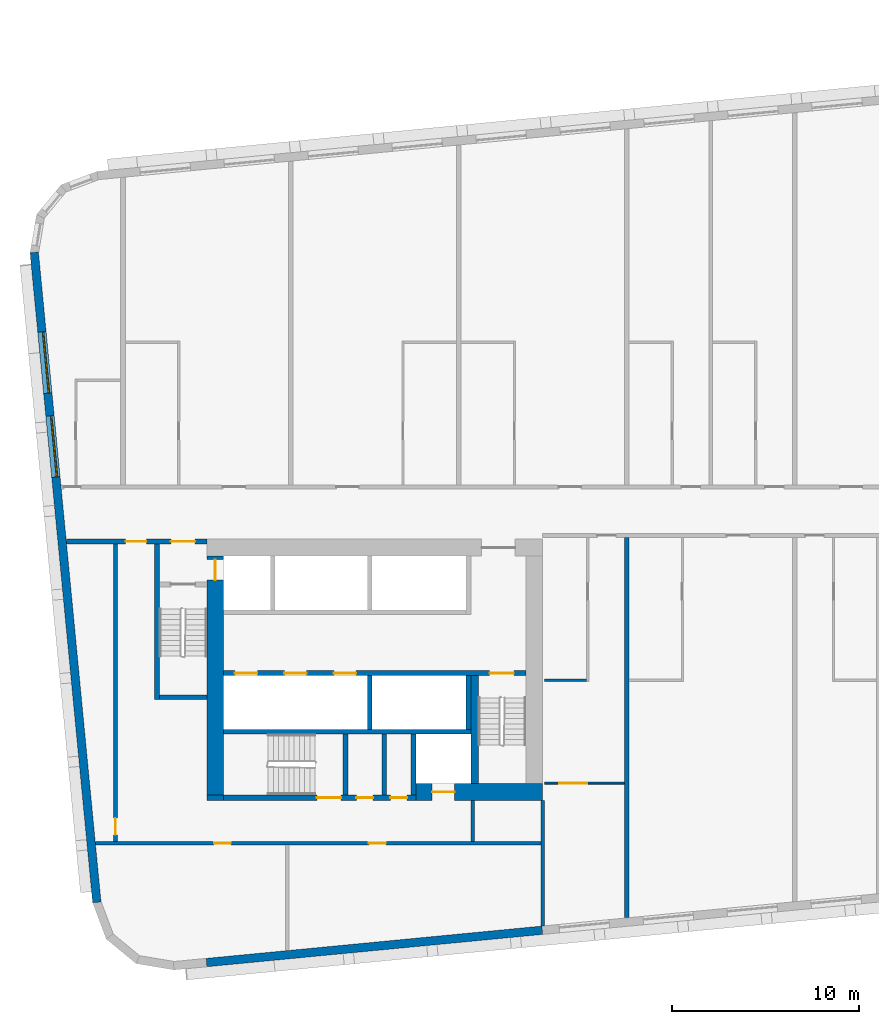
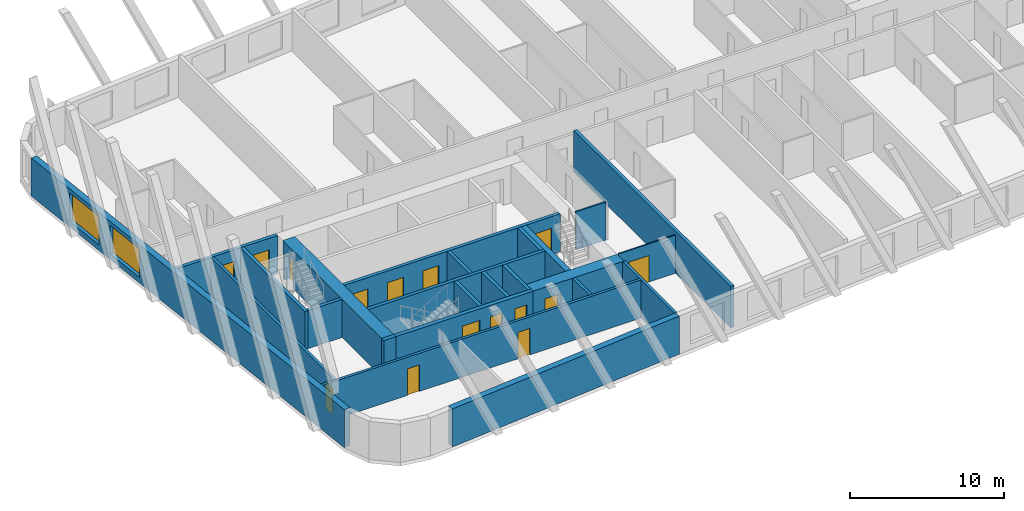
# One storey, part 2 of 13: 24 walls, 15 doors, 2 windows, 17 openings.
"""IFC4 building model written with IfcOpenShell, lengths in metres."""

import ifcopenshell
import ifcopenshell.guid

model = None  # the IFC model being written
_history = None  # IfcOwnerHistory: only IFC2X3 demands one
_inside = {}  # id of a spatial element -> (the spatial element, [elements in it])
_under = {}  # id of a project, library or spatial element -> (it, [spatial elements below it])
_declared = {}  # id of a project -> (the project, [libraries it declares])
_typed = {}  # id of a type object -> (the type object, [elements of that type])
_made_of = {}  # id of a material, layer set ... -> (it, [elements and type objects made of it])


def new_model(schema):
    """Start an empty IFC model of exactly this schema.

    Asked for "IFC4X3", IfcOpenShell would pick the latest addendum, in which some entities
    have other attributes; the version numbers below select the first issue.
    IFC2X3 requires an IfcOwnerHistory on every rooted entity: one is made here for all.
    """
    global model, _history
    if schema == "IFC4X3":
        model = ifcopenshell.file(schema_version=(4, 3, 0, 0))
    else:
        model = ifcopenshell.file(schema=schema)
    _inside.clear()
    _under.clear()
    _declared.clear()
    _typed.clear()
    _made_of.clear()
    _history = None
    if model.schema == "IFC2X3":
        org = make("IfcOrganization", Name="unknown")
        user = make(
            "IfcPersonAndOrganization",
            ThePerson=make("IfcPerson", FamilyName="unknown"),
            TheOrganization=org,
        )
        app = make(
            "IfcApplication",
            ApplicationDeveloper=org,
            Version="unknown",
            ApplicationFullName="unknown",
            ApplicationIdentifier="unknown",
        )
        _history = make(
            "IfcOwnerHistory",
            OwningUser=user,
            OwningApplication=app,
            ChangeAction="ADDED",
            CreationDate=0,
        )
    return model


def make(cls, **values):
    """One entity of the class cls with the attributes given. An attribute that is None is left unset."""
    return model.create_entity(
        cls, **{name: value for name, value in values.items() if value is not None}
    )


def rooted(cls, **values):
    """An entity with a GlobalId (a new one), such as an element, a storey or a relation."""
    return make(cls, GlobalId=ifcopenshell.guid.new(), OwnerHistory=_history, **values)


def si_unit(unit_type, name, prefix=None):
    """IfcSIUnit, for example si_unit("LENGTHUNIT", "METRE", prefix="MILLI")."""
    return make("IfcSIUnit", UnitType=unit_type, Prefix=prefix, Name=name)


def assignment(units):
    """IfcUnitAssignment: the units of a project."""
    return None if units is None else make("IfcUnitAssignment", Units=units)


def point(xyz):
    """IfcCartesianPoint."""
    return None if xyz is None else make("IfcCartesianPoint", Coordinates=xyz)


def direction(xyz):
    """IfcDirection."""
    return None if xyz is None else make("IfcDirection", DirectionRatios=xyz)


def frame(location, z_axis=None, x_axis=None):
    """IfcAxis2Placement3D, a coordinate frame: its origin and axes. An axis left out is left unset."""
    return make(
        "IfcAxis2Placement3D",
        Location=point(location),
        Axis=direction(z_axis),
        RefDirection=direction(x_axis),
    )


def frame_2d(location, x_axis=None):
    """IfcAxis2Placement2D, a coordinate frame in the plane: its origin and x axis."""
    return make(
        "IfcAxis2Placement2D", Location=point(location), RefDirection=direction(x_axis)
    )


def origin():
    """The frame at (0, 0, 0) with its axes left unset."""
    return frame((0.0, 0.0, 0.0))


def place(relative_to, where):
    """IfcLocalPlacement: puts the frame where relative to a parent placement (None: the world)."""
    return make(
        "IfcLocalPlacement", PlacementRelTo=relative_to, RelativePlacement=where
    )


def context(
    kind, dimensions, precision=None, world=None, true_north=None, identifier=None
):
    """IfcGeometricRepresentationContext, for example the 3D "Model" context."""
    return make(
        "IfcGeometricRepresentationContext",
        ContextIdentifier=identifier,
        ContextType=kind,
        CoordinateSpaceDimension=dimensions,
        Precision=precision,
        WorldCoordinateSystem=world,
        TrueNorth=true_north,
    )


def subcontext(parent, identifier, kind, view, scale=None):
    """IfcGeometricRepresentationSubContext, for example "Body" below "Model"."""
    return make(
        "IfcGeometricRepresentationSubContext",
        ContextIdentifier=identifier,
        ContextType=kind,
        ParentContext=parent,
        TargetScale=scale,
        TargetView=view,
    )


def project(units=None, contexts=None):
    """IfcProject with its units and contexts."""
    return rooted(
        "IfcProject",
        Name="project",
        RepresentationContexts=contexts,
        UnitsInContext=assignment(units),
    )


def spatial(cls, under=None, at=None, **own):
    """A site, building, storey or space (cls), placed at a placement, below another one or the project."""
    s = rooted(cls, ObjectPlacement=at, **own)
    if under is not None:
        _under.setdefault(under.id(), (under, []))[1].append(s)
    return s


def profile(cls, at=None, kind="AREA", **sizes):
    """A parametric profile (cls). Its sizes go by their IFC names, for example OverallWidth=200.0."""
    return make(cls, ProfileType=kind, Position=at, **sizes)


def rectangle(**sizes):
    """IfcRectangleProfileDef."""
    return profile("IfcRectangleProfileDef", **sizes)


def extrude(swept, where, along, depth):
    """IfcExtrudedAreaSolid: the profile swept, set in the frame where, extruded along a direction by depth."""
    return make(
        "IfcExtrudedAreaSolid",
        SweptArea=swept,
        Position=where,
        ExtrudedDirection=direction(along),
        Depth=depth,
    )


def shape(context_of_items, identifier, shape_type, items):
    """IfcShapeRepresentation: the items that make up one representation, for example the "Body"."""
    return make(
        "IfcShapeRepresentation",
        ContextOfItems=context_of_items,
        RepresentationIdentifier=identifier,
        RepresentationType=shape_type,
        Items=items,
    )


def material(Name=None, Category=None):
    """IfcMaterial."""
    return make("IfcMaterial", Name=Name, Category=Category)


def layer(
    of_material, thickness, ventilated=None, Name=None, Category=None, Priority=None
):
    """IfcMaterialLayer: one layer of a wall or slab, of a material (None: an air gap)."""
    return make(
        "IfcMaterialLayer",
        Material=of_material,
        LayerThickness=thickness,
        IsVentilated=ventilated,
        Name=Name,
        Category=Category,
        Priority=Priority,
    )


def layer_set(layers, Name=None):
    """IfcMaterialLayerSet."""
    return make("IfcMaterialLayerSet", MaterialLayers=layers, LayerSetName=Name)


def made_of(thing, what):
    """Note that an element or type object is made of a material, layer set ...; save() writes the relation."""
    if what is not None:
        _made_of.setdefault(what.id(), (what, []))[1].append(thing)
    return thing


def type_object(cls, material=None, **own):
    """A type object (cls), such as IfcWallType, which elements share."""
    return made_of(rooted(cls, **own), material)


def element(
    cls,
    number,
    at=None,
    inside=None,
    cuts=None,
    type_object=None,
    material=None,
    context=None,
    identifier="Body",
    shape_type=None,
    held_by="IfcProductDefinitionShape",
    body=None,
    shapes=None,
    **own,
):
    """One element of the class cls, such as IfcWall. Its Tag is "e" and its number.

    at: its placement. inside: the storey or other place that contains it. cuts: it is an
    opening in that element (IfcRelVoidsElement). A single representation is given by context,
    identifier, shape_type and body (its items); several are given by shapes. held_by: the class
    of the entity that holds the representations. save() writes the other relations.
    """
    e = rooted(cls, Tag="e%d" % number, ObjectPlacement=at, **own)
    if body is not None:
        shapes = [shape(context, identifier, shape_type, body)]
    if shapes is not None:
        e.Representation = make(held_by, Representations=shapes)
    if inside is not None:
        _inside.setdefault(inside.id(), (inside, []))[1].append(e)
    if cuts is not None:
        rooted(
            "IfcRelVoidsElement", RelatingBuildingElement=cuts, RelatedOpeningElement=e
        )
    if type_object is not None:
        _typed.setdefault(type_object.id(), (type_object, []))[1].append(e)
    return made_of(e, material)


def fill(opening, filler):
    """IfcRelFillsElement: the door or window that sits in an opening."""
    return rooted(
        "IfcRelFillsElement",
        RelatingOpeningElement=opening,
        RelatedBuildingElement=filler,
    )


def aggregate(whole, parts):
    """IfcRelAggregates: a whole, such as a stair, and the parts it consists of."""
    return rooted("IfcRelAggregates", RelatingObject=whole, RelatedObjects=parts)


def save(model, path):
    """Write the relations noted so far, then the file.

    IfcRelAggregates (storeys below a building ...), IfcRelContainedInSpatialStructure (elements
    in a storey), IfcRelDefinesByType, IfcRelAssociatesMaterial and IfcRelDeclares: one each for
    every whole, place, type object, material and project.
    """
    for whole, parts in _under.values():
        aggregate(whole, parts)
    for where, things in _inside.values():
        rooted(
            "IfcRelContainedInSpatialStructure",
            RelatedElements=things,
            RelatingStructure=where,
        )
    for kind, things in _typed.values():
        rooted("IfcRelDefinesByType", RelatedObjects=things, RelatingType=kind)
    for what, things in _made_of.values():
        rooted("IfcRelAssociatesMaterial", RelatedObjects=things, RelatingMaterial=what)
    for by, libraries in _declared.values():
        rooted("IfcRelDeclares", RelatingContext=by, RelatedDefinitions=libraries)
    model.write(path)


model = new_model("IFC4")

# Units and contexts
model_context = context("Model", 3, precision=1e-05, world=origin(), true_north=direction((0.0, 1.0)))
body_context = subcontext(model_context, "Body", "Model", "MODEL_VIEW")
ifc_project = project(units=[si_unit("LENGTHUNIT", "METRE"), si_unit("AREAUNIT", "SQUARE_METRE"), si_unit("VOLUMEUNIT", "CUBIC_METRE"), si_unit("PLANEANGLEUNIT", "RADIAN"), si_unit("MASSUNIT", "GRAM", prefix="KILO")], contexts=[model_context])

# Site, building, storey
site_placement = place(None, origin())
site = spatial("IfcSite", under=ifc_project, at=site_placement, CompositionType="ELEMENT")
building_placement = place(site_placement, origin())
building = spatial("IfcBuilding", under=site, at=building_placement, Name="Kajstack Hotel Tower", CompositionType="ELEMENT")
storey_placement = place(building_placement, frame((0.0, 0.0, 130.60009765625)))
storey = spatial("IfcBuildingStorey", under=building, at=storey_placement, Name="L29", CompositionType="ELEMENT", Elevation=130.60009765625)

# Wall, opening, door
ifc_material_1 = material(Name="Concrete C60/75", Category="concrete")
ifc_layer_1 = layer(ifc_material_1, 0.89990234375)
ifc_layer_set_1 = layer_set([ifc_layer_1], Name="Core wall 900")
wall_type_1 = type_object("IfcWallType", Name="Core wall 900", PredefinedType="SHEAR", material=ifc_layer_set_1)
wall_1_placement = place(storey_placement, frame((-20.300048828125, -15.050048828125, 0.0), z_axis=(0.0, 0.0, 1.0), x_axis=(1.0, 0.0, 0.0)))
wall_1 = element("IfcWall", 1, at=wall_1_placement, inside=storey, type_object=wall_type_1, Name="Core wall W RS", PredefinedType="SHEAR", context=body_context, shape_type="SweptSolid", body=[
    extrude(rectangle(XDim=6.800048828125, YDim=0.89990234375, at=frame_2d((3.39990234375, 0.0))), origin(), (0.0, 0.0, 1.0), 3.02001953125),
])
opening_1_placement = place(wall_1_placement, frame((0.875, 0.0, 0.0)))
opening_1 = element("IfcOpeningElement", 2, at=opening_1_placement, cuts=wall_1, Name="Opening LD-SV1", PredefinedType="OPENING", context=body_context, shape_type="SweptSolid", body=[
    extrude(rectangle(XDim=1.199951171875, YDim=2.10009765625, at=frame_2d((0.60009765625, 1.050048828125))), frame((0.0, 0.4599609375, 0.0), z_axis=(0.0, -1.0, 0.0), x_axis=(1.0, 0.0, 0.0)), (0.0, 0.0, 1.0), 0.919921875),
])
ifc_material_2 = material(Name="Stainless steel", Category="steel")
door_type_1 = type_object("IfcDoorType", Name="Lift landing door 1200", OperationType="SLIDING_TO_LEFT", PredefinedType="DOOR", material=ifc_material_2)
door_1_placement = place(opening_1_placement, origin())
door_1 = element("IfcDoor", 3, at=door_1_placement, inside=storey, type_object=door_type_1, Name="Landing door SV1", OperationType="SLIDING_TO_LEFT", OverallHeight=2.10009765625, OverallWidth=1.199951171875, PredefinedType="DOOR", context=body_context, shape_type="SweptSolid", body=[
    extrude(rectangle(XDim=1.199951171875, YDim=2.10009765625, at=frame_2d((0.60009765625, 1.050048828125))), frame((0.0, 0.02490234375, 0.0), z_axis=(0.0, -1.0, 0.0), x_axis=(1.0, 0.0, 0.0)), (0.0, 0.0, 1.0), 0.050048828125),
])
fill(opening_1, door_1)

# Wall
wall_2_placement = place(storey_placement, frame((-31.5, -15.35009765625, 0.0), z_axis=(0.0, 0.0, 1.0), x_axis=(1.0, 0.0, 0.0)))
element("IfcWall", 4, at=wall_2_placement, inside=storey, type_object=wall_type_1, Name="Core wall W RSW", PredefinedType="SHEAR", context=body_context, shape_type="SweptSolid", body=[
    extrude(rectangle(XDim=0.89990234375, YDim=0.300048828125, at=frame_2d((0.449951171875, 0.0))), origin(), (0.0, 0.0, 1.0), 3.02001953125),
])

# Wall, opening, door
wall_3_placement = place(storey_placement, frame((-31.050048828125, -15.199951171875, 0.0), z_axis=(0.0, 0.0, 1.0), x_axis=(0.0, 1.0, 0.0)))
wall_3 = element("IfcWall", 5, at=wall_3_placement, inside=storey, type_object=wall_type_1, Name="Core wall W RW", PredefinedType="SHEAR", context=body_context, shape_type="SweptSolid", body=[
    extrude(rectangle(XDim=12.800048828125, YDim=0.89990234375, at=frame_2d((6.39990234375, 0.0))), origin(), (0.0, 0.0, 1.0), 3.02001953125),
])
opening_2_placement = place(wall_3_placement, frame((11.5, 0.0, 0.0)))
opening_2 = element("IfcOpeningElement", 6, at=opening_2_placement, cuts=wall_3, Name="Opening LD-FF1", PredefinedType="OPENING", context=body_context, shape_type="SweptSolid", body=[
    extrude(rectangle(XDim=1.10009765625, YDim=2.10009765625, at=frame_2d((0.550048828125, 1.050048828125))), frame((0.0, 0.4599609375, 0.0), z_axis=(0.0, -1.0, 0.0), x_axis=(1.0, 0.0, 0.0)), (0.0, 0.0, 1.0), 0.919921875),
])
door_type_2 = type_object("IfcDoorType", Name="Fire-fighting lift landing door 1100", OperationType="SLIDING_TO_LEFT", PredefinedType="DOOR", material=ifc_material_2)
door_2_placement = place(opening_2_placement, origin())
door_2 = element("IfcDoor", 7, at=door_2_placement, inside=storey, type_object=door_type_2, Name="Landing door FF1", OperationType="SLIDING_TO_RIGHT", OverallHeight=2.10009765625, OverallWidth=1.10009765625, PredefinedType="DOOR", context=body_context, shape_type="SweptSolid", body=[
    extrude(rectangle(XDim=1.10009765625, YDim=2.10009765625, at=frame_2d((0.550048828125, 1.050048828125))), frame((0.0, 0.02490234375, 0.0), z_axis=(0.0, -1.0, 0.0), x_axis=(1.0, 0.0, 0.0)), (0.0, 0.0, 1.0), 0.050048828125),
])
fill(opening_2, door_2)

# Walls
ifc_material_3 = material(Name="Twin-frame gypsum board on steel studs, mineral wool", Category="steel")
ifc_layer_2 = layer(ifc_material_3, 0.199951171875)
ifc_layer_set_2 = layer_set([ifc_layer_2], Name="Demising wall 200")
wall_type_2 = type_object("IfcWallType", Name="Demising wall 200", PredefinedType="PARTITIONING", material=ifc_layer_set_2)
wall_4_placement = place(storey_placement, frame((-13.5, -22.23193359375, 0.0), z_axis=(0.0, 0.0, 1.0), x_axis=(0.0, 1.0, 0.0)))
element("IfcWall", 8, at=wall_4_placement, inside=storey, type_object=wall_type_2, Name="G-wall-L29-002", PredefinedType="PARTITIONING", context=body_context, shape_type="SweptSolid", body=[
    extrude(rectangle(XDim=6.73193359375, YDim=0.199951171875, at=frame_2d((3.365966796875, 0.0))), origin(), (0.0, 0.0, 1.0), 3.02001953125),
])
ifc_material_4 = material(Name="Concrete C40/50", Category="concrete")
ifc_layer_3 = layer(ifc_material_4, 0.449951171875)
ifc_layer_set_3 = layer_set([ifc_layer_3], Name="EW-CORE")
wall_type_3 = type_object("IfcWallType", Name="EW-CORE", PredefinedType="SOLIDWALL", material=ifc_layer_set_3)
wall_5_placement = place(storey_placement, frame((-31.521484375, -24.193603515625, 0.0), z_axis=(0.0, 0.0, 1.0), x_axis=(0.995396454615, 0.095843091245, 0.0)))
element("IfcWall", 9, at=wall_5_placement, inside=storey, type_object=wall_type_3, Name="E-wall-L29-04-01", PredefinedType="SOLIDWALL", context=body_context, shape_type="SweptSolid", body=[
    extrude(rectangle(XDim=18.083251953125, YDim=0.449951171875, at=frame_2d((9.04150390625, 0.0))), origin(), (0.0, 0.0, 1.0), 3.02001953125),
])

# Wall, openings, windows
ifc_material_5 = material(Name="Terracotta-faced brick masonry", Category="masonry")
ifc_layer_4 = layer(ifc_material_5, 0.449951171875)
ifc_layer_set_4 = layer_set([ifc_layer_4], Name="EW-TERRA")
wall_type_4 = type_object("IfcWallType", Name="EW-TERRA", PredefinedType="SOLIDWALL", material=ifc_layer_set_4)
wall_6_placement = place(storey_placement, frame((-40.7529296875, 13.87158203125, 0.0), z_axis=(0.0, 0.0, 1.0), x_axis=(0.095843327381, -0.995396431878, 0.0)))
wall_6 = element("IfcWall", 10, at=wall_6_placement, inside=storey, type_object=wall_type_4, Name="E-wall-L29-00-00", PredefinedType="SOLIDWALL", context=body_context, shape_type="SweptSolid", body=[
    extrude(rectangle(XDim=34.999755859375, YDim=0.449951171875, at=frame_2d((17.5, 0.0))), origin(), (0.0, 0.0, 1.0), 3.02001953125),
])
opening_3_placement = place(wall_6_placement, frame((4.27734375, 0.0, 0.449951171875)))
opening_3 = element("IfcOpeningElement", 11, at=opening_3_placement, cuts=wall_6, Name="Opening W2", PredefinedType="OPENING", context=body_context, shape_type="SweptSolid", body=[
    extrude(rectangle(XDim=3.300048828125, YDim=2.25, at=frame_2d((1.64990234375, 1.125))), frame((0.0, 0.23486328125, 0.0), z_axis=(0.0, -1.0, 0.0), x_axis=(1.0, 0.0, 0.0)), (0.0, 0.0, 1.0), 0.469970703125),
])
opening_4_placement = place(wall_6_placement, frame((8.798095703125, 0.0, 0.449951171875)))
opening_4 = element("IfcOpeningElement", 12, at=opening_4_placement, cuts=wall_6, Name="Opening W2", PredefinedType="OPENING", context=body_context, shape_type="SweptSolid", body=[
    extrude(rectangle(XDim=3.300048828125, YDim=2.25, at=frame_2d((1.64990234375, 1.125))), frame((0.0, 0.23486328125, 0.0), z_axis=(0.0, -1.0, 0.0), x_axis=(1.0, 0.0, 0.0)), (0.0, 0.0, 1.0), 0.469970703125),
])
ifc_material_6 = material(Name="Timber-aluminium window, triple glazed", Category="wood")
window_type = type_object("IfcWindowType", Name="WG2", PartitioningType="SINGLE_PANEL", PredefinedType="WINDOW", material=ifc_material_6)
window_1_placement = place(opening_3_placement, origin())
window_1 = element("IfcWindow", 13, at=window_1_placement, inside=storey, type_object=window_type, Name="Window W2 L29-00", OverallHeight=2.25, OverallWidth=3.300048828125, PartitioningType="SINGLE_PANEL", PredefinedType="WINDOW", context=body_context, shape_type="SweptSolid", body=[
    extrude(rectangle(XDim=3.300048828125, YDim=2.25, at=frame_2d((1.64990234375, 1.125))), frame((0.0, 0.090087890625, 0.0), z_axis=(0.0, -1.0, 0.0), x_axis=(1.0, 0.0, 0.0)), (0.0, 0.0, 1.0), 0.06005859375),
])
fill(opening_3, window_1)
window_2_placement = place(opening_4_placement, origin())
window_2 = element("IfcWindow", 14, at=window_2_placement, inside=storey, type_object=window_type, Name="Window W2 L29-00", OverallHeight=2.25, OverallWidth=3.300048828125, PartitioningType="SINGLE_PANEL", PredefinedType="WINDOW", context=body_context, shape_type="SweptSolid", body=[
    extrude(rectangle(XDim=3.300048828125, YDim=2.25, at=frame_2d((1.64990234375, 1.125))), frame((0.0, 0.090087890625, 0.0), z_axis=(0.0, -1.0, 0.0), x_axis=(1.0, 0.0, 0.0)), (0.0, 0.0, 1.0), 0.06005859375),
])
fill(opening_4, window_2)

# Walls
ifc_material_7 = material(Name="Gypsum board and tiled backer on steel studs", Category="steel")
ifc_layer_5 = layer(ifc_material_7, 0.125)
ifc_layer_set_5 = layer_set([ifc_layer_5], Name="En-suite wall 125")
wall_type_5 = type_object("IfcWallType", Name="En-suite wall 125", PredefinedType="PARTITIONING", material=ifc_layer_set_5)
wall_7_placement = place(storey_placement, frame((-13.39990234375, -9.06201171875, 0.0), z_axis=(0.0, 0.0, 1.0), x_axis=(1.0, 0.0, 0.0)))
element("IfcWall", 15, at=wall_7_placement, inside=storey, type_object=wall_type_5, Name="G-wall-L29-023", PredefinedType="PARTITIONING", context=body_context, shape_type="SweptSolid", body=[
    extrude(rectangle(XDim=2.25, YDim=0.125, at=frame_2d((1.125, 0.0))), origin(), (0.0, 0.0, 1.0), 3.02001953125),
])
ifc_material_8 = material(Name="Concrete C50/60", Category="concrete")
ifc_layer_6 = layer(ifc_material_8, 0.300048828125)
ifc_layer_set_6 = layer_set([ifc_layer_6], Name="Hoistway divider wall 300")
wall_type_6 = type_object("IfcWallType", Name="Hoistway divider wall 300", PredefinedType="SHEAR", material=ifc_layer_set_6)
wall_8_placement = place(storey_placement, frame((-22.77490234375, -11.699951171875, 0.0), z_axis=(0.0, 0.0, 1.0), x_axis=(0.0, 1.0, 0.0)))
element("IfcWall", 16, at=wall_8_placement, inside=storey, type_object=wall_type_6, Name="Core wall W BP2", PredefinedType="SHEAR", context=body_context, shape_type="SweptSolid", body=[
    extrude(rectangle(XDim=2.89990234375, YDim=0.25, at=frame_2d((1.449951171875, 0.0))), origin(), (0.0, 0.0, 1.0), 3.02001953125),
])

# Wall, opening, door
ifc_material_9 = material(Name="Gypsum board on steel studs", Category="steel")
ifc_layer_7 = layer(ifc_material_9, 0.10009765625)
ifc_layer_set_7 = layer_set([ifc_layer_7], Name="Partition 100")
wall_type_7 = type_object("IfcWallType", Name="Partition 100", PredefinedType="PARTITIONING", material=ifc_layer_set_7)
wall_9_placement = place(storey_placement, frame((-13.39990234375, -14.574951171875, 0.0), z_axis=(0.0, 0.0, 1.0), x_axis=(1.0, 0.0, 0.0)))
wall_9 = element("IfcWall", 17, at=wall_9_placement, inside=storey, type_object=wall_type_7, Name="G-wall-L29-024", PredefinedType="PARTITIONING", context=body_context, shape_type="SweptSolid", body=[
    extrude(rectangle(XDim=4.27490234375, YDim=0.10009765625, at=frame_2d((2.137451171875, 0.0))), origin(), (0.0, 0.0, 1.0), 3.02001953125),
])
opening_5_placement = place(wall_9_placement, frame((0.7880859375, 0.0, 0.0)))
opening_5 = element("IfcOpeningElement", 18, at=opening_5_placement, cuts=wall_9, Name="Opening 29019", PredefinedType="OPENING", context=body_context, shape_type="SweptSolid", body=[
    extrude(rectangle(XDim=1.5, YDim=2.10009765625, at=frame_2d((0.75, 1.050048828125))), frame((0.0, 0.06005859375, 0.0), z_axis=(0.0, -1.0, 0.0), x_axis=(1.0, 0.0, 0.0)), (0.0, 0.0, 1.0), 0.1201171875),
])
ifc_material_10 = material(Name="Painted timber door leaves, glazed panels", Category="wood")
door_type_3 = type_object("IfcDoorType", Name="Double door 1500", OperationType="SINGLE_SWING_LEFT", PredefinedType="DOOR", material=ifc_material_10)
door_3_placement = place(opening_5_placement, origin())
door_3 = element("IfcDoor", 19, at=door_3_placement, inside=storey, type_object=door_type_3, Name="G-door-L29-19", OperationType="SINGLE_SWING_RIGHT", OverallHeight=2.10009765625, OverallWidth=1.5, PredefinedType="DOOR", context=body_context, shape_type="SweptSolid", body=[
    extrude(rectangle(XDim=1.5, YDim=2.10009765625, at=frame_2d((0.75, 1.050048828125))), frame((0.0, 0.02490234375, 0.0), z_axis=(0.0, -1.0, 0.0), x_axis=(1.0, 0.0, 0.0)), (0.0, 0.0, 1.0), 0.050048828125),
])
fill(opening_5, door_3)

# Walls
ifc_material_11 = material(Name="Concrete C55/67", Category="concrete")
ifc_layer_8 = layer(ifc_material_11, 0.25)
ifc_layer_set_8 = layer_set([ifc_layer_8], Name="RC cross wall 250 C55/67")
wall_type_8 = type_object("IfcWallType", Name="RC cross wall 250 C55/67", PredefinedType="SHEAR", material=ifc_layer_set_8)
wall_10_placement = place(storey_placement, frame((-9.0, -21.777099609375, 0.0), z_axis=(0.0, 0.0, 1.0), x_axis=(0.0, 1.0, 0.0)))
element("IfcWall", 20, at=wall_10_placement, inside=storey, type_object=wall_type_8, Name="S-wall-L29-04", PredefinedType="SHEAR", context=body_context, shape_type="SweptSolid", body=[
    extrude(rectangle(XDim=20.377197265625, YDim=0.25, at=frame_2d((10.1884765625, 0.0))), origin(), (0.0, 0.0, 1.0), 3.2998046875),
])
ifc_material_12 = material(Name="Concrete block masonry", Category="masonry")
ifc_layer_9 = layer(ifc_material_12, 0.25)
ifc_layer_set_9 = layer_set([ifc_layer_9], Name="Riser partition 250")
wall_type_9 = type_object("IfcWallType", Name="Riser partition 250", PredefinedType="PARTITIONING", material=ifc_layer_set_9)
wall_11_placement = place(storey_placement, frame((-22.0, -15.199951171875, 0.0), z_axis=(0.0, 0.0, 1.0), x_axis=(0.0, 1.0, 0.0)))
element("IfcWall", 21, at=wall_11_placement, inside=storey, type_object=wall_type_9, Name="Partition W SZ0", PredefinedType="PARTITIONING", context=body_context, shape_type="SweptSolid", body=[
    extrude(rectangle(XDim=3.25, YDim=0.25, at=frame_2d((1.625, 0.0))), origin(), (0.0, 0.0, 1.0), 3.02001953125),
])

# Wall, openings, doors
ifc_material_13 = material(Name="Gypsum board on steel studs, mineral wool", Category="steel")
ifc_layer_10 = layer(ifc_material_13, 0.199951171875)
ifc_layer_set_10 = layer_set([ifc_layer_10], Name="Service partition 200")
wall_type_10 = type_object("IfcWallType", Name="Service partition 200", PredefinedType="PARTITIONING", material=ifc_layer_set_10)
wall_12_placement = place(storey_placement, frame((-39.034912109375, -1.625, 0.0), z_axis=(0.0, 0.0, 1.0), x_axis=(1.0, 0.0, 0.0)))
wall_12 = element("IfcWall", 22, at=wall_12_placement, inside=storey, type_object=wall_type_10, Name="Partition W SN", PredefinedType="PARTITIONING", context=body_context, shape_type="SweptSolid", body=[
    extrude(rectangle(XDim=7.534912109375, YDim=0.25, at=frame_2d((3.767578125, 0.0))), origin(), (0.0, 0.0, 1.0), 3.02001953125),
])
opening_6_placement = place(wall_12_placement, frame((5.60986328125, 0.0, 0.0)))
opening_6 = element("IfcOpeningElement", 23, at=opening_6_placement, cuts=wall_12, Name="Opening 29W07", PredefinedType="OPENING", context=body_context, shape_type="SweptSolid", body=[
    extrude(rectangle(XDim=1.300048828125, YDim=2.10009765625, at=frame_2d((0.64990234375, 1.050048828125))), frame((0.0, 0.135009765625, 0.0), z_axis=(0.0, -1.0, 0.0), x_axis=(1.0, 0.0, 0.0)), (0.0, 0.0, 1.0), 0.27001953125),
])
opening_7_placement = place(wall_12_placement, frame((3.184814453125, 0.0, 0.0)))
opening_7 = element("IfcOpeningElement", 24, at=opening_7_placement, cuts=wall_12, Name="Opening 29W09", PredefinedType="OPENING", context=body_context, shape_type="SweptSolid", body=[
    extrude(rectangle(XDim=1.10009765625, YDim=2.10009765625, at=frame_2d((0.550048828125, 1.050048828125))), frame((0.0, 0.135009765625, 0.0), z_axis=(0.0, -1.0, 0.0), x_axis=(1.0, 0.0, 0.0)), (0.0, 0.0, 1.0), 0.27001953125),
])
ifc_material_14 = material(Name="Steel leaf, fire-rated", Category="steel")
door_type_4 = type_object("IfcDoorType", Name="Fire lobby door 1300", OperationType="SINGLE_SWING_LEFT", PredefinedType="DOOR", material=ifc_material_14)
door_4_placement = place(opening_6_placement, origin())
door_4 = element("IfcDoor", 25, at=door_4_placement, inside=storey, type_object=door_type_4, Name="Door 29W07", OperationType="SINGLE_SWING_RIGHT", OverallHeight=2.10009765625, OverallWidth=1.300048828125, PredefinedType="DOOR", context=body_context, shape_type="SweptSolid", body=[
    extrude(rectangle(XDim=1.300048828125, YDim=2.10009765625, at=frame_2d((0.64990234375, 1.050048828125))), frame((0.0, 0.02490234375, 0.0), z_axis=(0.0, -1.0, 0.0), x_axis=(1.0, 0.0, 0.0)), (0.0, 0.0, 1.0), 0.050048828125),
])
fill(opening_6, door_4)
ifc_material_15 = material(Name="Timber leaf, fire-rated", Category="wood")
door_type_5 = type_object("IfcDoorType", Name="Service corridor door 1100", OperationType="SINGLE_SWING_LEFT", PredefinedType="DOOR", material=ifc_material_15)
door_5_placement = place(opening_7_placement, origin())
door_5 = element("IfcDoor", 26, at=door_5_placement, inside=storey, type_object=door_type_5, Name="Door 29W09", OperationType="SINGLE_SWING_RIGHT", OverallHeight=2.10009765625, OverallWidth=1.10009765625, PredefinedType="DOOR", context=body_context, shape_type="SweptSolid", body=[
    extrude(rectangle(XDim=1.10009765625, YDim=2.10009765625, at=frame_2d((0.550048828125, 1.050048828125))), frame((0.0, 0.02490234375, 0.0), z_axis=(0.0, -1.0, 0.0), x_axis=(1.0, 0.0, 0.0)), (0.0, 0.0, 1.0), 0.050048828125),
])
fill(opening_7, door_5)

# Wall
wall_13_placement = place(storey_placement, frame((-17.25, -17.699951171875, 0.0), z_axis=(0.0, 0.0, 1.0), x_axis=(0.0, 1.0, 0.0)))
element("IfcWall", 27, at=wall_13_placement, inside=storey, type_object=wall_type_10, Name="Partition W SCE", PredefinedType="PARTITIONING", context=body_context, shape_type="SweptSolid", body=[
    extrude(rectangle(XDim=2.199951171875, YDim=0.199951171875, at=frame_2d((1.10009765625, 0.0))), origin(), (0.0, 0.0, 1.0), 3.02001953125),
])

# Wall, opening, door
wall_14_placement = place(storey_placement, frame((-36.39990234375, -17.699951171875, 0.0), z_axis=(0.0, 0.0, 1.0), x_axis=(0.0, 1.0, 0.0)))
wall_14 = element("IfcWall", 28, at=wall_14_placement, inside=storey, type_object=wall_type_10, Name="Partition W WRE", PredefinedType="PARTITIONING", context=body_context, shape_type="SweptSolid", body=[
    extrude(rectangle(XDim=15.949951171875, YDim=0.199951171875, at=frame_2d((7.97509765625, 0.0))), origin(), (0.0, 0.0, 1.0), 3.02001953125),
])
opening_8_placement = place(wall_14_placement, frame((0.35009765625, 0.0, 0.0)))
opening_8 = element("IfcOpeningElement", 29, at=opening_8_placement, cuts=wall_14, Name="Opening 29W16", PredefinedType="OPENING", context=body_context, shape_type="SweptSolid", body=[
    extrude(rectangle(XDim=0.89990234375, YDim=2.10009765625, at=frame_2d((0.449951171875, 1.050048828125))), frame((0.0, 0.10986328125, 0.0), z_axis=(0.0, -1.0, 0.0), x_axis=(1.0, 0.0, 0.0)), (0.0, 0.0, 1.0), 0.219970703125),
])
door_type_6 = type_object("IfcDoorType", Name="Service door 900", OperationType="SINGLE_SWING_LEFT", PredefinedType="DOOR", material=ifc_material_15)
door_6_placement = place(opening_8_placement, origin())
door_6 = element("IfcDoor", 30, at=door_6_placement, inside=storey, type_object=door_type_6, Name="Door 29W16", OperationType="SINGLE_SWING_LEFT", OverallHeight=2.10009765625, OverallWidth=0.89990234375, PredefinedType="DOOR", context=body_context, shape_type="SweptSolid", body=[
    extrude(rectangle(XDim=0.89990234375, YDim=2.10009765625, at=frame_2d((0.449951171875, 1.050048828125))), frame((0.0, 0.02490234375, 0.0), z_axis=(0.0, -1.0, 0.0), x_axis=(1.0, 0.0, 0.0)), (0.0, 0.0, 1.0), 0.050048828125),
])
fill(opening_8, door_6)

# Wall, openings, doors
wall_15_placement = place(storey_placement, frame((-37.477294921875, -17.800048828125, 0.0), z_axis=(0.0, 0.0, 1.0), x_axis=(1.0, 0.0, 0.0)))
wall_15 = element("IfcWall", 31, at=wall_15_placement, inside=storey, type_object=wall_type_10, Name="Partition W SLN", PredefinedType="PARTITIONING", context=body_context, shape_type="SweptSolid", body=[
    extrude(rectangle(XDim=23.877197265625, YDim=0.199951171875, at=frame_2d((11.9384765625, 0.0))), origin(), (0.0, 0.0, 1.0), 3.02001953125),
])
opening_9_placement = place(wall_15_placement, frame((6.364990234375, 0.0, 0.0)))
opening_9 = element("IfcOpeningElement", 32, at=opening_9_placement, cuts=wall_15, Name="Opening 29W14", PredefinedType="OPENING", context=body_context, shape_type="SweptSolid", body=[
    extrude(rectangle(XDim=0.89990234375, YDim=2.10009765625, at=frame_2d((0.449951171875, 1.050048828125))), frame((0.0, 0.10986328125, 0.0), z_axis=(0.0, -1.0, 0.0), x_axis=(1.0, 0.0, 0.0)), (0.0, 0.0, 1.0), 0.219970703125),
])
opening_10_placement = place(wall_15_placement, frame((14.664794921875, 0.0, 0.0)))
opening_10 = element("IfcOpeningElement", 33, at=opening_10_placement, cuts=wall_15, Name="Opening 29W15", PredefinedType="OPENING", context=body_context, shape_type="SweptSolid", body=[
    extrude(rectangle(XDim=0.89990234375, YDim=2.10009765625, at=frame_2d((0.449951171875, 1.050048828125))), frame((0.0, 0.10986328125, 0.0), z_axis=(0.0, -1.0, 0.0), x_axis=(1.0, 0.0, 0.0)), (0.0, 0.0, 1.0), 0.219970703125),
])
door_7_placement = place(opening_9_placement, origin())
door_7 = element("IfcDoor", 34, at=door_7_placement, inside=storey, type_object=door_type_6, Name="Door 29W14", OperationType="SINGLE_SWING_RIGHT", OverallHeight=2.10009765625, OverallWidth=0.89990234375, PredefinedType="DOOR", context=body_context, shape_type="SweptSolid", body=[
    extrude(rectangle(XDim=0.89990234375, YDim=2.10009765625, at=frame_2d((0.449951171875, 1.050048828125))), frame((0.0, 0.02490234375, 0.0), z_axis=(0.0, -1.0, 0.0), x_axis=(1.0, 0.0, 0.0)), (0.0, 0.0, 1.0), 0.050048828125),
])
fill(opening_9, door_7)
door_8_placement = place(opening_10_placement, origin())
door_8 = element("IfcDoor", 35, at=door_8_placement, inside=storey, type_object=door_type_6, Name="Door 29W15", OperationType="SINGLE_SWING_RIGHT", OverallHeight=2.10009765625, OverallWidth=0.89990234375, PredefinedType="DOOR", context=body_context, shape_type="SweptSolid", body=[
    extrude(rectangle(XDim=0.89990234375, YDim=2.10009765625, at=frame_2d((0.449951171875, 1.050048828125))), frame((0.0, 0.02490234375, 0.0), z_axis=(0.0, -1.0, 0.0), x_axis=(1.0, 0.0, 0.0)), (0.0, 0.0, 1.0), 0.050048828125),
])
fill(opening_10, door_8)

ifc_layer_11 = layer(ifc_material_8, 0.25)
ifc_layer_set_11 = layer_set([ifc_layer_11], Name="Shaft wall 250")
wall_type_11 = type_object("IfcWallType", Name="Shaft wall 250", PredefinedType="SHEAR", material=ifc_layer_set_11)
wall_16_placement = place(storey_placement, frame((-30.60009765625, -15.35009765625, 0.0), z_axis=(0.0, 0.0, 1.0), x_axis=(1.0, 0.0, 0.0)))
wall_16 = element("IfcWall", 36, at=wall_16_placement, inside=storey, type_object=wall_type_11, Name="Core wall W RSS", PredefinedType="SHEAR", context=body_context, shape_type="SweptSolid", body=[
    extrude(rectangle(XDim=10.300048828125, YDim=0.300048828125, at=frame_2d((5.14990234375, 0.0))), origin(), (0.0, 0.0, 1.0), 3.02001953125),
])
opening_11_placement = place(wall_16_placement, frame((5.0, 0.0, 0.0)))
opening_11 = element("IfcOpeningElement", 37, at=opening_11_placement, cuts=wall_16, Name="Opening 29W11", PredefinedType="OPENING", context=body_context, shape_type="SweptSolid", body=[
    extrude(rectangle(XDim=1.300048828125, YDim=2.10009765625, at=frame_2d((0.64990234375, 1.050048828125))), frame((0.0, 0.159912109375, 0.0), z_axis=(0.0, -1.0, 0.0), x_axis=(1.0, 0.0, 0.0)), (0.0, 0.0, 1.0), 0.320068359375),
])
opening_12_placement = place(wall_16_placement, frame((7.112548828125, 0.0, 0.0)))
opening_12 = element("IfcOpeningElement", 38, at=opening_12_placement, cuts=wall_16, Name="Opening 29W12", PredefinedType="OPENING", context=body_context, shape_type="SweptSolid", body=[
    extrude(rectangle(XDim=0.89990234375, YDim=2.10009765625, at=frame_2d((0.449951171875, 1.050048828125))), frame((0.0, 0.159912109375, 0.0), z_axis=(0.0, -1.0, 0.0), x_axis=(1.0, 0.0, 0.0)), (0.0, 0.0, 1.0), 0.320068359375),
])
opening_13_placement = place(wall_16_placement, frame((8.9375, 0.0, 0.0)))
opening_13 = element("IfcOpeningElement", 39, at=opening_13_placement, cuts=wall_16, Name="Opening 29W13", PredefinedType="OPENING", context=body_context, shape_type="SweptSolid", body=[
    extrude(rectangle(XDim=0.89990234375, YDim=2.10009765625, at=frame_2d((0.449951171875, 1.050048828125))), frame((0.0, 0.159912109375, 0.0), z_axis=(0.0, -1.0, 0.0), x_axis=(1.0, 0.0, 0.0)), (0.0, 0.0, 1.0), 0.320068359375),
])
door_9_placement = place(opening_12_placement, origin())
door_9 = element("IfcDoor", 40, at=door_9_placement, inside=storey, type_object=door_type_6, Name="Door 29W12", OperationType="SINGLE_SWING_LEFT", OverallHeight=2.10009765625, OverallWidth=0.89990234375, PredefinedType="DOOR", context=body_context, shape_type="SweptSolid", body=[
    extrude(rectangle(XDim=0.89990234375, YDim=2.10009765625, at=frame_2d((0.449951171875, 1.050048828125))), frame((0.0, 0.02490234375, 0.0), z_axis=(0.0, -1.0, 0.0), x_axis=(1.0, 0.0, 0.0)), (0.0, 0.0, 1.0), 0.050048828125),
])
fill(opening_12, door_9)
door_10_placement = place(opening_13_placement, origin())
door_10 = element("IfcDoor", 41, at=door_10_placement, inside=storey, type_object=door_type_6, Name="Door 29W13", OperationType="SINGLE_SWING_LEFT", OverallHeight=2.10009765625, OverallWidth=0.89990234375, PredefinedType="DOOR", context=body_context, shape_type="SweptSolid", body=[
    extrude(rectangle(XDim=0.89990234375, YDim=2.10009765625, at=frame_2d((0.449951171875, 1.050048828125))), frame((0.0, 0.02490234375, 0.0), z_axis=(0.0, -1.0, 0.0), x_axis=(1.0, 0.0, 0.0)), (0.0, 0.0, 1.0), 0.050048828125),
])
fill(opening_13, door_10)
door_type_7 = type_object("IfcDoorType", Name="Stair door 1300", OperationType="SINGLE_SWING_LEFT", PredefinedType="DOOR", material=ifc_material_14)
door_11_placement = place(opening_11_placement, origin())
door_11 = element("IfcDoor", 42, at=door_11_placement, inside=storey, type_object=door_type_7, Name="Door 29W11", OperationType="SINGLE_SWING_RIGHT", OverallHeight=2.10009765625, OverallWidth=1.300048828125, PredefinedType="DOOR", context=body_context, shape_type="SweptSolid", body=[
    extrude(rectangle(XDim=1.300048828125, YDim=2.10009765625, at=frame_2d((0.64990234375, 1.050048828125))), frame((0.0, 0.02490234375, 0.0), z_axis=(0.0, -1.0, 0.0), x_axis=(1.0, 0.0, 0.0)), (0.0, 0.0, 1.0), 0.050048828125),
])
fill(opening_11, door_11)

wall_17_placement = place(storey_placement, frame((-30.60009765625, -8.675048828125, 0.0), z_axis=(0.0, 0.0, 1.0), x_axis=(1.0, 0.0, 0.0)))
wall_17 = element("IfcWall", 43, at=wall_17_placement, inside=storey, type_object=wall_type_11, Name="Core wall W FB", PredefinedType="SHEAR", context=body_context, shape_type="SweptSolid", body=[
    extrude(rectangle(XDim=16.2001953125, YDim=0.25, at=frame_2d((8.10009765625, 0.0))), origin(), (0.0, 0.0, 1.0), 3.02001953125),
])
opening_14_placement = place(wall_17_placement, frame((0.60009765625, 0.0, 0.0)))
opening_14 = element("IfcOpeningElement", 44, at=opening_14_placement, cuts=wall_17, Name="Opening LD-LR1", PredefinedType="OPENING", context=body_context, shape_type="SweptSolid", body=[
    extrude(rectangle(XDim=1.199951171875, YDim=2.10009765625, at=frame_2d((0.60009765625, 1.050048828125))), frame((0.0, 0.135009765625, 0.0), z_axis=(0.0, -1.0, 0.0), x_axis=(1.0, 0.0, 0.0)), (0.0, 0.0, 1.0), 0.27001953125),
])
opening_15_placement = place(wall_17_placement, frame((3.25, 0.0, 0.0)))
opening_15 = element("IfcOpeningElement", 45, at=opening_15_placement, cuts=wall_17, Name="Opening LD-LR2", PredefinedType="OPENING", context=body_context, shape_type="SweptSolid", body=[
    extrude(rectangle(XDim=1.199951171875, YDim=2.10009765625, at=frame_2d((0.60009765625, 1.050048828125))), frame((0.0, 0.135009765625, 0.0), z_axis=(0.0, -1.0, 0.0), x_axis=(1.0, 0.0, 0.0)), (0.0, 0.0, 1.0), 0.27001953125),
])
opening_16_placement = place(wall_17_placement, frame((5.89990234375, 0.0, 0.0)))
opening_16 = element("IfcOpeningElement", 46, at=opening_16_placement, cuts=wall_17, Name="Opening LD-LR3", PredefinedType="OPENING", context=body_context, shape_type="SweptSolid", body=[
    extrude(rectangle(XDim=1.199951171875, YDim=2.10009765625, at=frame_2d((0.60009765625, 1.050048828125))), frame((0.0, 0.135009765625, 0.0), z_axis=(0.0, -1.0, 0.0), x_axis=(1.0, 0.0, 0.0)), (0.0, 0.0, 1.0), 0.27001953125),
])
opening_17_placement = place(wall_17_placement, frame((14.25, 0.0, 0.0)))
opening_17 = element("IfcOpeningElement", 47, at=opening_17_placement, cuts=wall_17, Name="Opening 29W10", PredefinedType="OPENING", context=body_context, shape_type="SweptSolid", body=[
    extrude(rectangle(XDim=1.300048828125, YDim=2.10009765625, at=frame_2d((0.64990234375, 1.050048828125))), frame((0.0, 0.135009765625, 0.0), z_axis=(0.0, -1.0, 0.0), x_axis=(1.0, 0.0, 0.0)), (0.0, 0.0, 1.0), 0.27001953125),
])
door_12_placement = place(opening_14_placement, origin())
door_12 = element("IfcDoor", 48, at=door_12_placement, inside=storey, type_object=door_type_1, Name="Landing door LR1", OperationType="SLIDING_TO_LEFT", OverallHeight=2.10009765625, OverallWidth=1.199951171875, PredefinedType="DOOR", context=body_context, shape_type="SweptSolid", body=[
    extrude(rectangle(XDim=1.199951171875, YDim=2.10009765625, at=frame_2d((0.60009765625, 1.050048828125))), frame((0.0, 0.02490234375, 0.0), z_axis=(0.0, -1.0, 0.0), x_axis=(1.0, 0.0, 0.0)), (0.0, 0.0, 1.0), 0.050048828125),
])
fill(opening_14, door_12)
door_13_placement = place(opening_15_placement, origin())
door_13 = element("IfcDoor", 49, at=door_13_placement, inside=storey, type_object=door_type_1, Name="Landing door LR2", OperationType="SLIDING_TO_RIGHT", OverallHeight=2.10009765625, OverallWidth=1.199951171875, PredefinedType="DOOR", context=body_context, shape_type="SweptSolid", body=[
    extrude(rectangle(XDim=1.199951171875, YDim=2.10009765625, at=frame_2d((0.60009765625, 1.050048828125))), frame((0.0, 0.02490234375, 0.0), z_axis=(0.0, -1.0, 0.0), x_axis=(1.0, 0.0, 0.0)), (0.0, 0.0, 1.0), 0.050048828125),
])
fill(opening_15, door_13)
door_14_placement = place(opening_16_placement, origin())
door_14 = element("IfcDoor", 50, at=door_14_placement, inside=storey, type_object=door_type_1, Name="Landing door LR3", OperationType="SLIDING_TO_RIGHT", OverallHeight=2.10009765625, OverallWidth=1.199951171875, PredefinedType="DOOR", context=body_context, shape_type="SweptSolid", body=[
    extrude(rectangle(XDim=1.199951171875, YDim=2.10009765625, at=frame_2d((0.60009765625, 1.050048828125))), frame((0.0, 0.02490234375, 0.0), z_axis=(0.0, -1.0, 0.0), x_axis=(1.0, 0.0, 0.0)), (0.0, 0.0, 1.0), 0.050048828125),
])
fill(opening_16, door_14)
door_15_placement = place(opening_17_placement, origin())
door_15 = element("IfcDoor", 51, at=door_15_placement, inside=storey, type_object=door_type_7, Name="Door 29W10", OperationType="SINGLE_SWING_RIGHT", OverallHeight=2.10009765625, OverallWidth=1.300048828125, PredefinedType="DOOR", context=body_context, shape_type="SweptSolid", body=[
    extrude(rectangle(XDim=1.300048828125, YDim=2.10009765625, at=frame_2d((0.64990234375, 1.050048828125))), frame((0.0, 0.02490234375, 0.0), z_axis=(0.0, -1.0, 0.0), x_axis=(1.0, 0.0, 0.0)), (0.0, 0.0, 1.0), 0.050048828125),
])
fill(opening_17, door_15)

# Walls
wall_18_placement = place(storey_placement, frame((-30.60009765625, -11.824951171875, 0.0), z_axis=(0.0, 0.0, 1.0), x_axis=(1.0, 0.0, 0.0)))
element("IfcWall", 52, at=wall_18_placement, inside=storey, type_object=wall_type_11, Name="Core wall W RB", PredefinedType="SHEAR", context=body_context, shape_type="SweptSolid", body=[
    extrude(rectangle(XDim=13.25, YDim=0.25, at=frame_2d((6.625, 0.0))), origin(), (0.0, 0.0, 1.0), 3.02001953125),
])
wall_19_placement = place(storey_placement, frame((-17.47509765625, -11.699951171875, 0.0), z_axis=(0.0, 0.0, 1.0), x_axis=(0.0, 1.0, 0.0)))
element("IfcWall", 53, at=wall_19_placement, inside=storey, type_object=wall_type_11, Name="Core wall W BE", PredefinedType="SHEAR", context=body_context, shape_type="SweptSolid", body=[
    extrude(rectangle(XDim=2.89990234375, YDim=0.25, at=frame_2d((1.449951171875, 0.0))), origin(), (0.0, 0.0, 1.0), 3.02001953125),
])
wall_20_placement = place(storey_placement, frame((-20.425048828125, -15.199951171875, 0.0), z_axis=(0.0, 0.0, 1.0), x_axis=(0.0, 1.0, 0.0)))
element("IfcWall", 54, at=wall_20_placement, inside=storey, type_object=wall_type_11, Name="Core wall W SVW", PredefinedType="SHEAR", context=body_context, shape_type="SweptSolid", body=[
    extrude(rectangle(XDim=3.25, YDim=0.25, at=frame_2d((1.625, 0.0))), origin(), (0.0, 0.0, 1.0), 3.02001953125),
])
ifc_layer_12 = layer(ifc_material_4, 0.25)
ifc_layer_set_12 = layer_set([ifc_layer_12], Name="Stair enclosure wall 250")
wall_type_12 = type_object("IfcWallType", Name="Stair enclosure wall 250", PredefinedType="SHEAR", material=ifc_layer_set_12)
wall_21_placement = place(storey_placement, frame((-34.175048828125, -10.10009765625, 0.0), z_axis=(0.0, 0.0, 1.0), x_axis=(0.0, 1.0, 0.0)))
element("IfcWall", 55, at=wall_21_placement, inside=storey, type_object=wall_type_12, Name="Core wall W W1W", PredefinedType="SHEAR", context=body_context, shape_type="SweptSolid", body=[
    extrude(rectangle(XDim=8.35009765625, YDim=0.25, at=frame_2d((4.175048828125, 0.0))), origin(), (0.0, 0.0, 1.0), 3.02001953125),
])
wall_22_placement = place(storey_placement, frame((-34.050048828125, -9.97509765625, 0.0), z_axis=(0.0, 0.0, 1.0), x_axis=(1.0, 0.0, 0.0)))
element("IfcWall", 56, at=wall_22_placement, inside=storey, type_object=wall_type_12, Name="Core wall W W1S", PredefinedType="SHEAR", context=body_context, shape_type="SweptSolid", body=[
    extrude(rectangle(XDim=2.550048828125, YDim=0.25, at=frame_2d((1.27490234375, 0.0))), origin(), (0.0, 0.0, 1.0), 3.02001953125),
])
ifc_layer_13 = layer(ifc_material_8, 0.35009765625)
ifc_layer_set_13 = layer_set([ifc_layer_13], Name="Stair enclosure wall 350")
wall_type_13 = type_object("IfcWallType", Name="Stair enclosure wall 350", PredefinedType="SHEAR", material=ifc_layer_set_13)
wall_23_placement = place(storey_placement, frame((-24.074951171875, -15.199951171875, 0.0), z_axis=(0.0, 0.0, 1.0), x_axis=(0.0, 1.0, 0.0)))
element("IfcWall", 57, at=wall_23_placement, inside=storey, type_object=wall_type_13, Name="Core wall W W3E", PredefinedType="SHEAR", context=body_context, shape_type="SweptSolid", body=[
    extrude(rectangle(XDim=3.25, YDim=0.25, at=frame_2d((1.625, 0.0))), origin(), (0.0, 0.0, 1.0), 3.02001953125),
])
ifc_layer_14 = layer(ifc_material_8, 0.39990234375)
ifc_layer_set_14 = layer_set([ifc_layer_14], Name="Stair wall 400")
wall_type_14 = type_object("IfcWallType", Name="Stair wall 400", PredefinedType="SHEAR", material=ifc_layer_set_14)
wall_24_placement = place(storey_placement, frame((-17.14990234375, -14.60009765625, 0.0), z_axis=(0.0, 0.0, 1.0), x_axis=(0.0, 1.0, 0.0)))
element("IfcWall", 58, at=wall_24_placement, inside=storey, type_object=wall_type_14, Name="Core wall W WW2", PredefinedType="SHEAR", context=body_context, shape_type="SweptSolid", body=[
    extrude(rectangle(XDim=5.800048828125, YDim=0.39990234375, at=frame_2d((2.89990234375, 0.0))), origin(), (0.0, 0.0, 1.0), 3.02001953125),
])

save(model, "model.ifc")
